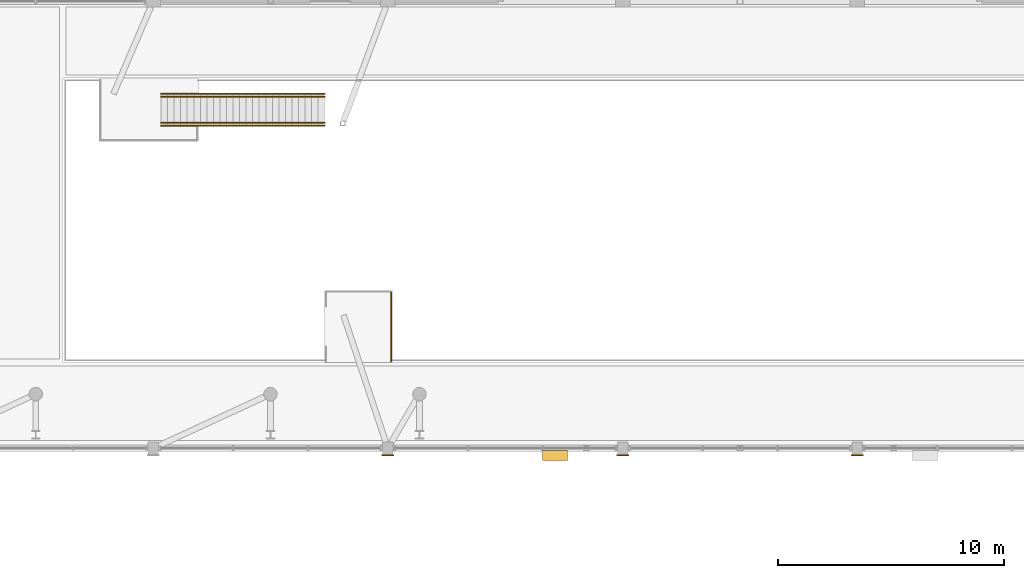
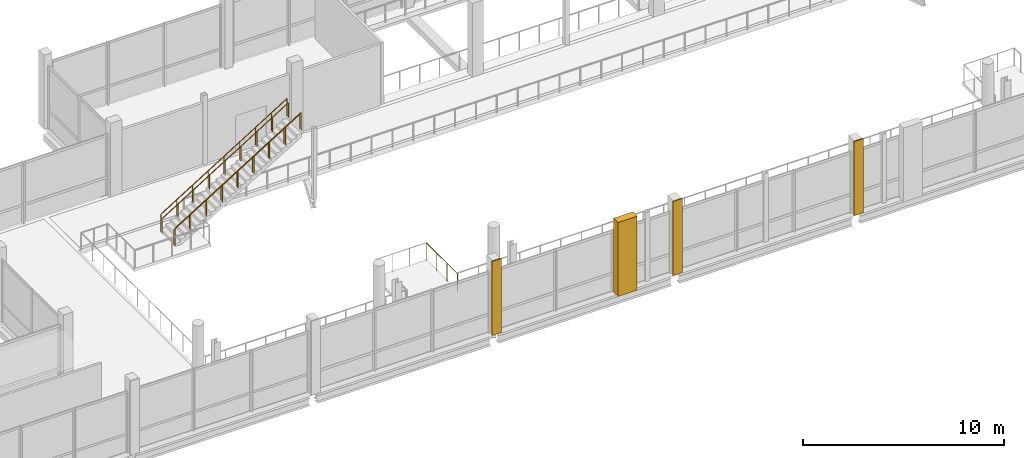
# One storey, part 88 of 95: 5 railings, 4 coverings.
"""IFC4 building model written with IfcOpenShell, lengths in metres."""

from ifc_helpers import new_model, si_unit, derived_unit, direction, frame, origin, origin_2d, place, context, subcontext, project, spatial, rectangle, circle, extrude, material, layer, layer_set, type_object, element, save


model = new_model("IFC4")

# Units and contexts
model_context = context("Model", 3, precision=1e-05, world=origin(), true_north=direction((0.0, 1.0)))
body_context = subcontext(model_context, "Body", "Model", "MODEL_VIEW")
ifc_project = project(units=[si_unit("LENGTHUNIT", "METRE"), si_unit("AREAUNIT", "SQUARE_METRE"), si_unit("VOLUMEUNIT", "CUBIC_METRE"), si_unit("PLANEANGLEUNIT", "RADIAN"), si_unit("MASSUNIT", "GRAM", prefix="KILO"), derived_unit("THERMALTRANSMITTANCEUNIT", [(si_unit("POWERUNIT", "WATT"), 1), (si_unit("LENGTHUNIT", "METRE"), -2), (si_unit("THERMODYNAMICTEMPERATUREUNIT", "KELVIN"), -1)])], contexts=[model_context])

# Site, building, storey
site_placement = place(None, origin())
site = spatial("IfcSite", under=ifc_project, at=site_placement, CompositionType="ELEMENT")
building_placement = place(site_placement, origin())
building = spatial("IfcBuilding", under=site, at=building_placement, Name="Braskholm Square Health Centre", CompositionType="ELEMENT")
storey_placement = place(building_placement, frame((0.0, 0.0, 4.800048828125)))
storey = spatial("IfcBuildingStorey", under=building, at=storey_placement, Name="L02", CompositionType="ELEMENT", Elevation=4.800048828125)

# Railings
ifc_material_1 = material(Name="Dark patinated chevron architectural bronze", Category="aluminium")
railing_type_1 = type_object("IfcRailingType", Name="BronzeChevronGuardrail1100", PredefinedType="GUARDRAIL", material=ifc_material_1)
for number, where, name in (
    (1, (58.35009765625, 102.89990234375, 0.0), "Stair ST-11 side guard L"),
    (2, (58.35009765625, 101.5, 0.0), "Stair ST-11 side guard R"),
):
    element("IfcRailing", number, at=place(storey_placement, frame(where)), inside=storey, type_object=railing_type_1, Name=name, PredefinedType="GUARDRAIL", context=body_context, shape_type="SweptSolid", body=[
        extrude(circle(Radius=0.02392578125, at=origin_2d()), frame((0.0, 0.0, 1.076171875), z_axis=(0.849640166198, 0.0, 0.527362861778), x_axis=(0.0, 1.0, 0.0)), (0.0, 0.0, 1.0), 8.532958984375),
        extrude(circle(Radius=0.02099609375, at=origin_2d()), origin(), (0.0, 0.0, 1.0), 1.052001953125),
        extrude(circle(Radius=0.02099609375, at=origin_2d()), frame((0.90625, 0.0, 0.5625)), (0.0, 0.0, 1.0), 1.052001953125),
        extrude(circle(Radius=0.02099609375, at=origin_2d()), frame((1.8125, 0.0, 1.125)), (0.0, 0.0, 1.0), 1.052001953125),
        extrude(circle(Radius=0.02099609375, at=origin_2d()), frame((2.71875, 0.0, 1.6875)), (0.0, 0.0, 1.0), 1.052001953125),
        extrude(circle(Radius=0.02099609375, at=origin_2d()), frame((3.625, 0.0, 2.25)), (0.0, 0.0, 1.0), 1.052001953125),
        extrude(circle(Radius=0.02099609375, at=origin_2d()), frame((4.53125, 0.0, 2.8125)), (0.0, 0.0, 1.0), 1.052001953125),
        extrude(circle(Radius=0.02099609375, at=origin_2d()), frame((5.4375, 0.0, 3.375)), (0.0, 0.0, 1.0), 1.052001953125),
        extrude(circle(Radius=0.02099609375, at=origin_2d()), frame((6.34375, 0.0, 3.9375)), (0.0, 0.0, 1.0), 1.052001953125),
        extrude(circle(Radius=0.02099609375, at=origin_2d()), frame((7.25, 0.0, 4.5)), (0.0, 0.0, 1.0), 1.052001953125),
    ])
railing_placement = place(storey_placement, frame((68.550048828125, 94.14990234375, 0.0)))
element("IfcRailing", 3, at=railing_placement, inside=storey, type_object=railing_type_1, Name="Atrium stair landing edge guard 01", PredefinedType="GUARDRAIL", context=body_context, shape_type="SweptSolid", body=[
    extrude(circle(Radius=0.02392578125, at=origin_2d()), frame((0.0, 0.0, 1.076171875), z_axis=(0.0, -1.0, 0.0), x_axis=(1.0, 0.0, 0.0)), (0.0, 0.0, 1.0), 3.099853515625),
    extrude(circle(Radius=0.02099609375, at=origin_2d()), origin(), (0.0, 0.0, 1.0), 1.052001953125),
    extrude(circle(Radius=0.02099609375, at=origin_2d()), frame((0.0, -1.033203125, 0.0)), (0.0, 0.0, 1.0), 1.052001953125),
    extrude(circle(Radius=0.02099609375, at=origin_2d()), frame((0.0, -2.066650390625, 0.0)), (0.0, 0.0, 1.0), 1.052001953125),
    extrude(circle(Radius=0.02099609375, at=origin_2d()), frame((0.0, -3.099853515625, 0.0)), (0.0, 0.0, 1.0), 1.052001953125),
])

# Coverings
ifc_material_2 = material(Name="Mankato-Kasota dolomitic limestone ashlar", Category="masonry")
ifc_layer_1 = layer(ifc_material_2, 0.090087890625)
ifc_layer_set_1 = layer_set([ifc_layer_1], Name="Mankato-Kasota dolomitic limestone ashlar")
covering_type_1 = type_object("IfcCoveringType", Name="KasotaAshlarBaseCladding", PredefinedType="CLADDING", material=ifc_layer_set_1)
covering_placement = place(storey_placement, frame((75.800048828125, 86.8798828125, 0.0), z_axis=(0.0, 0.0, 1.0), x_axis=(1.0, 0.0, 0.0)))
element("IfcCovering", 4, at=covering_placement, inside=storey, type_object=covering_type_1, Name="Classical Art Deco architectural trim 0889", PredefinedType="CLADDING", context=body_context, shape_type="SweptSolid", body=[
    extrude(rectangle(XDim=1.10009765625, YDim=0.43994140625, at=origin_2d()), origin(), (0.0, 0.0, 1.0), 4.5),
])
ifc_material_3 = material(Name="Precast concrete C40/50 architectural white", Category="concrete")
ifc_layer_2 = layer(ifc_material_3, 0.054931640625)
ifc_layer_set_2 = layer_set([ifc_layer_2], Name="Precast concrete C40/50 architectural white")
covering_type_2 = type_object("IfcCoveringType", Name="PrecastWhiteColumnCasing", PredefinedType="CLADDING", material=ifc_layer_set_2)
for number, where, z_axis, x_axis, name in (
    (5, (68.39990234375, 86.89501953125, 0.0), (0.0, 0.0, 1.0), (1.0, 0.0, 0.0), "Giant-order white precast column casing 0198"),
    (6, (78.800048828125, 86.89501953125, 0.0), (0.0, 0.0, 1.0), (1.0, 0.0, 0.0), "Giant-order white precast column casing 0201"),
    (7, (89.199951171875, 86.89501953125, 0.0), (0.0, 0.0, 1.0), (1.0, 0.0, 0.0), "Giant-order white precast column casing 0204"),
):
    element("IfcCovering", number, at=place(storey_placement, frame(where, z_axis=z_axis, x_axis=x_axis)), inside=storey, type_object=covering_type_2, Name=name, PredefinedType="CLADDING", context=body_context, shape_type="SweptSolid", body=[
        extrude(rectangle(XDim=0.5400390625, YDim=0.06005859375, at=origin_2d()), origin(), (0.0, 0.0, 1.0), 4.5),
    ])

# Railings
railing_type_2 = type_object("IfcRailingType", Name="StairTubularHandrail915", PredefinedType="HANDRAIL", material=ifc_material_1)
for number, where, name in (
    (8, (58.35009765625, 102.77392578125, 0.0), "Stair ST-11 tubular handrail L"),
    (9, (58.35009765625, 101.6259765625, 0.0), "Stair ST-11 tubular handrail R"),
):
    element("IfcRailing", number, at=place(storey_placement, frame(where)), inside=storey, type_object=railing_type_2, Name=name, PredefinedType="HANDRAIL", context=body_context, shape_type="SweptSolid", body=[
        extrude(circle(Radius=0.02392578125, at=origin_2d()), frame((0.0, 0.0, 0.89111328125), z_axis=(0.849640166198, 0.0, 0.527362861778), x_axis=(0.0, 1.0, 0.0)), (0.0, 0.0, 1.0), 8.532958984375),
        extrude(circle(Radius=0.02099609375, at=origin_2d()), origin(), (0.0, 0.0, 1.0), 0.866943359375),
        extrude(circle(Radius=0.02099609375, at=origin_2d()), frame((0.90625, 0.0, 0.5625)), (0.0, 0.0, 1.0), 0.866943359375),
        extrude(circle(Radius=0.02099609375, at=origin_2d()), frame((1.8125, 0.0, 1.125)), (0.0, 0.0, 1.0), 0.866943359375),
        extrude(circle(Radius=0.02099609375, at=origin_2d()), frame((2.71875, 0.0, 1.6875)), (0.0, 0.0, 1.0), 0.866943359375),
        extrude(circle(Radius=0.02099609375, at=origin_2d()), frame((3.625, 0.0, 2.25)), (0.0, 0.0, 1.0), 0.866943359375),
        extrude(circle(Radius=0.02099609375, at=origin_2d()), frame((4.53125, 0.0, 2.8125)), (0.0, 0.0, 1.0), 0.866943359375),
        extrude(circle(Radius=0.02099609375, at=origin_2d()), frame((5.4375, 0.0, 3.375)), (0.0, 0.0, 1.0), 0.866943359375),
        extrude(circle(Radius=0.02099609375, at=origin_2d()), frame((6.34375, 0.0, 3.9375)), (0.0, 0.0, 1.0), 0.866943359375),
        extrude(circle(Radius=0.02099609375, at=origin_2d()), frame((7.25, 0.0, 4.5)), (0.0, 0.0, 1.0), 0.866943359375),
    ])

save(model, "model.ifc")
